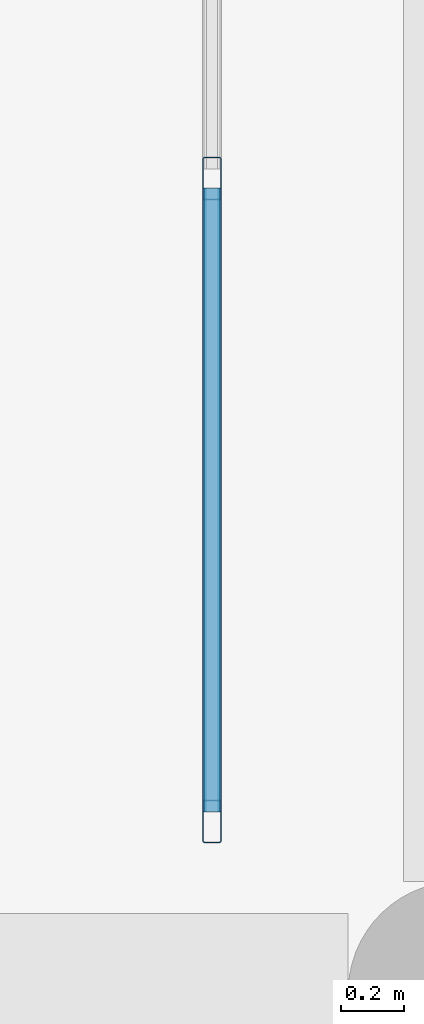
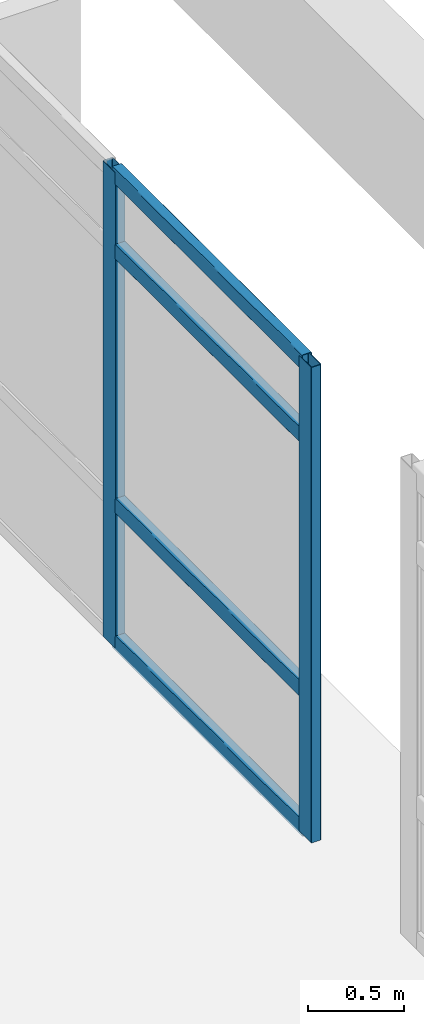
# One storey, part 26 of 180: 6 members, 1 element without a shape of its own.
"""IFC4 building model written with IfcOpenShell, lengths in metres."""

from ifc_helpers import new_model, si_unit, direction, frame, origin, origin_2d, place, context, subcontext, project, spatial, hollow_rectangle, extrude, material, layer, layer_set, material_profile, profile_set, type_object, element, aggregate, save


model = new_model("IFC4")

# Units and contexts
model_context = context("Model", 3, precision=1e-05, world=origin(), true_north=direction((0.0, 1.0)))
body_context = subcontext(model_context, "Body", "Model", "MODEL_VIEW")
ifc_project = project(units=[si_unit("LENGTHUNIT", "METRE"), si_unit("AREAUNIT", "SQUARE_METRE"), si_unit("VOLUMEUNIT", "CUBIC_METRE"), si_unit("PLANEANGLEUNIT", "RADIAN"), si_unit("MASSUNIT", "GRAM", prefix="KILO")], contexts=[model_context])

# Site, building, storey
site_placement = place(None, origin())
site = spatial("IfcSite", under=ifc_project, at=site_placement, CompositionType="ELEMENT")
building_placement = place(site_placement, origin())
building = spatial("IfcBuilding", under=site, at=building_placement, Name="Asteropetra Specialist Clinic", CompositionType="ELEMENT")
storey_placement = place(building_placement, frame((0.0, 0.0, 4.419921875)))
storey = spatial("IfcBuildingStorey", under=building, at=storey_placement, Name="L01", CompositionType="ELEMENT", Elevation=4.419921875)

# Curtain wall, members
ifc_material_1 = material(Name="Aluminium and low-E glass", Category="aluminium")
ifc_layer = layer(ifc_material_1, 0.179931640625)
ifc_layer_set = layer_set([ifc_layer], Name="Aluminium and low-E glass")
curtain_wall_type = type_object("IfcCurtainWallType", Name="CW-SYS-10", PredefinedType="USERDEFINED", material=ifc_layer_set)
curtain_wall_placement = place(storey_placement, origin())
curtain_wall = element("IfcCurtainWall", 1, at=curtain_wall_placement, inside=storey, type_object=curtain_wall_type, Name="Curtain Wall CW-146", ObjectType="STICK GLAZED COLONNADE", PredefinedType="USERDEFINED")
ifc_material_2 = material(Name="Aluminium 6063-T6", Category="aluminium")
ifc_material_profile_1 = material_profile(ifc_material_2, hollow_rectangle(XDim=0.06005859375, YDim=0.135009765625, WallThickness=0.00341796875, InnerFilletRadius=0.00341796875, OuterFilletRadius=0.007080078125, at=origin_2d()), Name="MUL 135x60x3.5")
ifc_profile_set_1 = profile_set([ifc_material_profile_1], Name="Aluminium 6063-T6")
member_type_1 = type_object("IfcMemberType", Name="CWM-135x60", PredefinedType="MULLION", material=ifc_profile_set_1)
member_1_placement = place(storey_placement, frame((56.820068359375, 12.5400390625, 0.0), z_axis=(0.0, 0.0, 1.0), x_axis=(-1.0, 0.0, 0.0)))
member_1 = element("IfcMember", 2, at=member_1_placement, type_object=member_type_1, Name="CW-146 mullion 1", PredefinedType="MULLION", context=body_context, shape_type="SweptSolid", body=[
    extrude(hollow_rectangle(XDim=0.06005859375, YDim=0.135009765625, WallThickness=0.00341796875, InnerFilletRadius=0.00341796875, OuterFilletRadius=0.007080078125, at=origin_2d()), origin(), (0.0, 0.0, 1.0), 3.010009765625),
])
member_2_placement = place(storey_placement, frame((56.820068359375, 14.570068359375, 0.0), z_axis=(0.0, 0.0, 1.0), x_axis=(-1.0, 0.0, 0.0)))
member_2 = element("IfcMember", 3, at=member_2_placement, type_object=member_type_1, Name="CW-146 mullion 2", PredefinedType="MULLION", context=body_context, shape_type="SweptSolid", body=[
    extrude(hollow_rectangle(XDim=0.06005859375, YDim=0.135009765625, WallThickness=0.00341796875, InnerFilletRadius=0.00341796875, OuterFilletRadius=0.007080078125, at=origin_2d()), origin(), (0.0, 0.0, 1.0), 3.010009765625),
])
ifc_material_3 = material(Name="Aluminium 6063-T6", Category="aluminium")
ifc_material_profile_2 = material_profile(ifc_material_3, hollow_rectangle(XDim=0.06005859375, YDim=0.10009765625, WallThickness=0.00341796875, InnerFilletRadius=0.00341796875, OuterFilletRadius=0.007080078125, at=origin_2d()), Name="TRN 100x60x3.5")
ifc_profile_set_2 = profile_set([ifc_material_profile_2], Name="Aluminium 6063-T6")
member_type_2 = type_object("IfcMemberType", Name="CWT-100x60", PredefinedType="USERDEFINED", material=ifc_profile_set_2)
member_3_placement = place(storey_placement, frame((56.820068359375, 12.570068359375, 0.030029296875), z_axis=(0.0, 1.0, 0.0), x_axis=(-1.0, 0.0, 0.0)))
member_3 = element("IfcMember", 4, at=member_3_placement, type_object=member_type_2, Name="CW-146 transom 1.1", ObjectType="TRANSOM", PredefinedType="USERDEFINED", context=body_context, shape_type="SweptSolid", body=[
    extrude(hollow_rectangle(XDim=0.06005859375, YDim=0.10009765625, WallThickness=0.00341796875, InnerFilletRadius=0.00341796875, OuterFilletRadius=0.007080078125, at=origin_2d()), origin(), (0.0, 0.0, 1.0), 1.969970703125),
])
member_4_placement = place(storey_placement, frame((56.820068359375, 12.570068359375, 0.900146484375), z_axis=(0.0, 1.0, 0.0), x_axis=(-1.0, 0.0, 0.0)))
member_4 = element("IfcMember", 5, at=member_4_placement, type_object=member_type_2, Name="CW-146 transom 1.2", ObjectType="TRANSOM", PredefinedType="USERDEFINED", context=body_context, shape_type="SweptSolid", body=[
    extrude(hollow_rectangle(XDim=0.06005859375, YDim=0.10009765625, WallThickness=0.00341796875, InnerFilletRadius=0.00341796875, OuterFilletRadius=0.007080078125, at=origin_2d()), origin(), (0.0, 0.0, 1.0), 1.969970703125),
])
member_5_placement = place(storey_placement, frame((56.820068359375, 12.570068359375, 2.510009765625), z_axis=(0.0, 1.0, 0.0), x_axis=(-1.0, 0.0, 0.0)))
member_5 = element("IfcMember", 6, at=member_5_placement, type_object=member_type_2, Name="CW-146 transom 1.3", ObjectType="TRANSOM", PredefinedType="USERDEFINED", context=body_context, shape_type="SweptSolid", body=[
    extrude(hollow_rectangle(XDim=0.06005859375, YDim=0.10009765625, WallThickness=0.00341796875, InnerFilletRadius=0.00341796875, OuterFilletRadius=0.007080078125, at=origin_2d()), origin(), (0.0, 0.0, 1.0), 1.969970703125),
])
member_6_placement = place(storey_placement, frame((56.820068359375, 12.570068359375, 2.97998046875), z_axis=(0.0, 1.0, 0.0), x_axis=(-1.0, 0.0, 0.0)))
member_6 = element("IfcMember", 7, at=member_6_placement, type_object=member_type_2, Name="CW-146 transom 1.4", ObjectType="TRANSOM", PredefinedType="USERDEFINED", context=body_context, shape_type="SweptSolid", body=[
    extrude(hollow_rectangle(XDim=0.06005859375, YDim=0.10009765625, WallThickness=0.00341796875, InnerFilletRadius=0.00341796875, OuterFilletRadius=0.007080078125, at=origin_2d()), origin(), (0.0, 0.0, 1.0), 1.969970703125),
])
aggregate(curtain_wall, [member_1, member_2, member_3, member_4, member_5, member_6])

save(model, "model.ifc")
